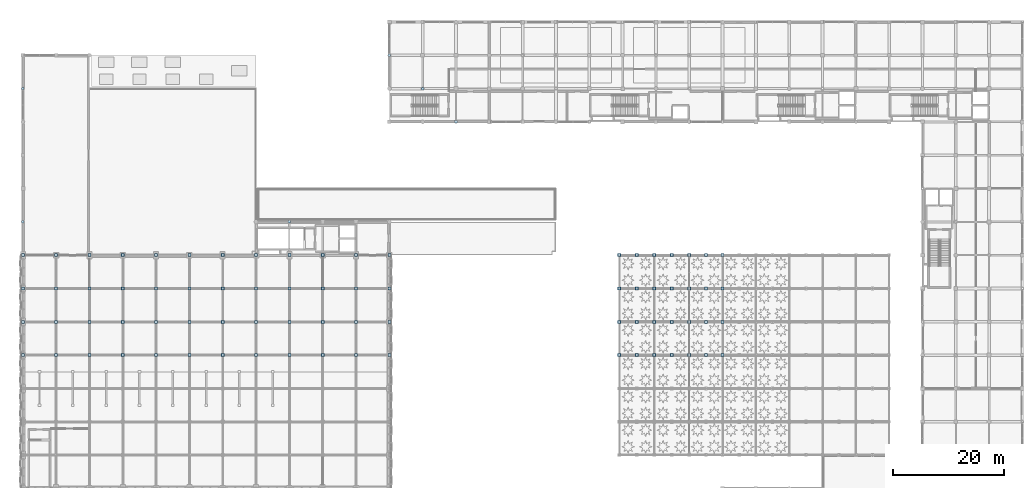
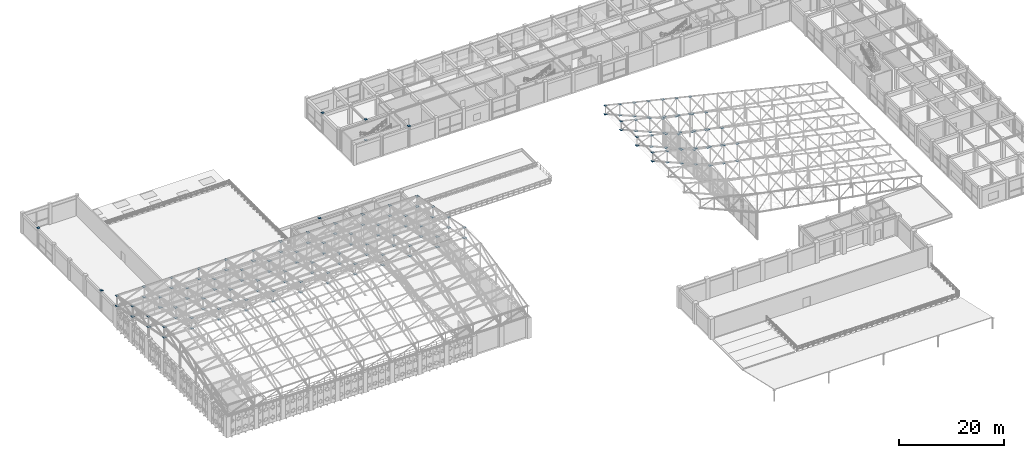
# One storey, part 88 of 112: 159 plates.
"""IFC4 building model written with IfcOpenShell, lengths in metres."""

from ifc_helpers import new_model, si_unit, direction, frame, origin, origin_2d, place, context, subcontext, project, spatial, rectangle, extrude, material, layer, layer_set, type_object, element, save


model = new_model("IFC4")

# Units and contexts
model_context = context("Model", 3, precision=1e-05, world=origin(), true_north=direction((0.0, 1.0)))
body_context = subcontext(model_context, "Body", "Model", "MODEL_VIEW")
ifc_project = project(units=[si_unit("LENGTHUNIT", "METRE"), si_unit("AREAUNIT", "SQUARE_METRE"), si_unit("VOLUMEUNIT", "CUBIC_METRE"), si_unit("PLANEANGLEUNIT", "RADIAN"), si_unit("MASSUNIT", "GRAM", prefix="KILO"), si_unit("THERMODYNAMICTEMPERATUREUNIT", "KELVIN"), si_unit("POWERUNIT", "WATT")], contexts=[model_context])

# Site, building, storey
site_placement = place(None, origin())
site = spatial("IfcSite", under=ifc_project, at=site_placement, CompositionType="ELEMENT")
building_placement = place(site_placement, origin())
building = spatial("IfcBuilding", under=site, at=building_placement, Name="Phaisarnlok Congress Hotel", CompositionType="ELEMENT")
storey_placement = place(building_placement, frame((0.0, 0.0, 19.800048828125)))
storey = spatial("IfcBuildingStorey", under=building, at=storey_placement, Name="L04", CompositionType="ELEMENT", Elevation=19.800048828125)

# Plates
ifc_material = material(Name="Steel S355", Category="steel")
ifc_layer_1 = layer(ifc_material, 0.0400390625, Name="Steel S355")
ifc_layer_set_1 = layer_set([ifc_layer_1], Name="Steel S355")
plate_type_1 = type_object("IfcPlateType", Name="PLT-CAP-480", PredefinedType="SHEET", material=ifc_layer_set_1)
for number, where, z_axis, x_axis, name in (
    (1, (0.0, 90.0, 4.780029296875), (0.0, 0.0, 1.0), (1.0, 0.0, 0.0), "Steel column cap/base plate NP-04 at NP-COLT-COL-L04-000-090"),
    (2, (0.0, 114.0, 4.780029296875), (0.0, 0.0, 1.0), (1.0, 0.0, 0.0), "Steel column cap/base plate NP-04 at NP-COLT-COL-L04-000-114"),
    (3, (48.0, 90.0, 4.780029296875), (0.0, 0.0, 1.0), (1.0, 0.0, 0.0), "Steel column cap/base plate NP-04 at NP-COLT-COL-L04-048-090"),
    (4, (66.0, 120.0, 4.780029296875), (0.0, 0.0, 1.0), (1.0, 0.0, 0.0), "Steel column cap/base plate NP-04 at NP-COLT-COL-L04-066-120"),
    (5, (72.0, 114.0, -0.02001953125), (0.0, 0.0, 1.0), (1.0, 0.0, 0.0), "Steel column cap/base plate NP-04 at NP-COLB-COL-L04-072-114"),
    (6, (72.0, 114.0, 4.780029296875), (0.0, 0.0, 1.0), (1.0, 0.0, 0.0), "Steel column cap/base plate NP-04 at NP-COLT-COL-L04-072-114"),
    (7, (78.0, 108.0, 4.780029296875), (0.0, 0.0, 1.0), (1.0, 0.0, 0.0), "Steel column cap/base plate NP-04 at NP-COLT-COL-L04-078-108"),
):
    element("IfcPlate", number, at=place(storey_placement, frame(where, z_axis=z_axis, x_axis=x_axis)), inside=storey, type_object=plate_type_1, Name=name, PredefinedType="SHEET", context=body_context, shape_type="SweptSolid", body=[
        extrude(rectangle(XDim=0.47998046875, YDim=0.47998046875, at=origin_2d()), origin(), (0.0, 0.0, 1.0), 0.0400390625),
    ])
ifc_layer_2 = layer(ifc_material, 0.02490234375, Name="Steel S355")
ifc_layer_set_2 = layer_set([ifc_layer_2], Name="Steel S355")
plate_type_2 = type_object("IfcPlateType", Name="PLT-NODE-520", PredefinedType="SHEET", material=ifc_layer_set_2)
for number, where, z_axis, x_axis, name in (
    (8, (0.0, 66.0, 10.849609375), (0.0, 0.0, 1.0), (1.0, 0.0, 0.0), "Steel truss node plate NP-02 at NP-SFT-00-04"),
    (9, (0.0, 72.0, 9.62890625), (0.0, 0.0, 1.0), (1.0, 0.0, 0.0), "Steel truss node plate NP-02 at NP-SFT-00-05"),
    (10, (0.0, 78.0, 8.408203125), (0.0, 0.0, 1.0), (1.0, 0.0, 0.0), "Steel truss node plate NP-02 at NP-SFT-00-06"),
    (11, (0.0, 84.0, 7.1875), (0.0, 0.0, 1.0), (1.0, 0.0, 0.0), "Steel truss node plate NP-02 at NP-SFT-00-07"),
    (12, (6.0, 66.0, 10.849609375), (0.0, 0.0, 1.0), (1.0, 0.0, 0.0), "Steel truss node plate NP-02 at NP-SFT-01-04"),
    (13, (6.0, 72.0, 9.62890625), (0.0, 0.0, 1.0), (1.0, 0.0, 0.0), "Steel truss node plate NP-02 at NP-SFT-01-05"),
    (14, (6.0, 78.0, 8.408203125), (0.0, 0.0, 1.0), (1.0, 0.0, 0.0), "Steel truss node plate NP-02 at NP-SFT-01-06"),
    (15, (6.0, 84.0, 7.1875), (0.0, 0.0, 1.0), (1.0, 0.0, 0.0), "Steel truss node plate NP-02 at NP-SFT-01-07"),
    (16, (12.0, 66.0, 10.849609375), (0.0, 0.0, 1.0), (1.0, 0.0, 0.0), "Steel truss node plate NP-02 at NP-SFT-02-04"),
    (17, (12.0, 72.0, 9.62890625), (0.0, 0.0, 1.0), (1.0, 0.0, 0.0), "Steel truss node plate NP-02 at NP-SFT-02-05"),
    (18, (12.0, 78.0, 8.408203125), (0.0, 0.0, 1.0), (1.0, 0.0, 0.0), "Steel truss node plate NP-02 at NP-SFT-02-06"),
    (19, (12.0, 84.0, 7.1875), (0.0, 0.0, 1.0), (1.0, 0.0, 0.0), "Steel truss node plate NP-02 at NP-SFT-02-07"),
    (20, (18.0, 66.0, 10.849609375), (0.0, 0.0, 1.0), (1.0, 0.0, 0.0), "Steel truss node plate NP-02 at NP-SFT-03-04"),
    (21, (18.0, 72.0, 9.62890625), (0.0, 0.0, 1.0), (1.0, 0.0, 0.0), "Steel truss node plate NP-02 at NP-SFT-03-05"),
    (22, (18.0, 78.0, 8.408203125), (0.0, 0.0, 1.0), (1.0, 0.0, 0.0), "Steel truss node plate NP-02 at NP-SFT-03-06"),
    (23, (18.0, 84.0, 7.1875), (0.0, 0.0, 1.0), (1.0, 0.0, 0.0), "Steel truss node plate NP-02 at NP-SFT-03-07"),
    (24, (24.0, 66.0, 10.849609375), (0.0, 0.0, 1.0), (1.0, 0.0, 0.0), "Steel truss node plate NP-02 at NP-SFT-04-04"),
    (25, (24.0, 72.0, 9.62890625), (0.0, 0.0, 1.0), (1.0, 0.0, 0.0), "Steel truss node plate NP-02 at NP-SFT-04-05"),
    (26, (24.0, 78.0, 8.408203125), (0.0, 0.0, 1.0), (1.0, 0.0, 0.0), "Steel truss node plate NP-02 at NP-SFT-04-06"),
    (27, (24.0, 84.0, 7.1875), (0.0, 0.0, 1.0), (1.0, 0.0, 0.0), "Steel truss node plate NP-02 at NP-SFT-04-07"),
    (28, (30.0, 66.0, 10.849609375), (0.0, 0.0, 1.0), (1.0, 0.0, 0.0), "Steel truss node plate NP-02 at NP-SFT-05-04"),
    (29, (30.0, 72.0, 9.62890625), (0.0, 0.0, 1.0), (1.0, 0.0, 0.0), "Steel truss node plate NP-02 at NP-SFT-05-05"),
    (30, (30.0, 78.0, 8.408203125), (0.0, 0.0, 1.0), (1.0, 0.0, 0.0), "Steel truss node plate NP-02 at NP-SFT-05-06"),
    (31, (30.0, 84.0, 7.1875), (0.0, 0.0, 1.0), (1.0, 0.0, 0.0), "Steel truss node plate NP-02 at NP-SFT-05-07"),
    (32, (36.0, 66.0, 10.849609375), (0.0, 0.0, 1.0), (1.0, 0.0, 0.0), "Steel truss node plate NP-02 at NP-SFT-06-04"),
    (33, (36.0, 72.0, 9.62890625), (0.0, 0.0, 1.0), (1.0, 0.0, 0.0), "Steel truss node plate NP-02 at NP-SFT-06-05"),
    (34, (36.0, 78.0, 8.408203125), (0.0, 0.0, 1.0), (1.0, 0.0, 0.0), "Steel truss node plate NP-02 at NP-SFT-06-06"),
    (35, (36.0, 84.0, 7.1875), (0.0, 0.0, 1.0), (1.0, 0.0, 0.0), "Steel truss node plate NP-02 at NP-SFT-06-07"),
    (36, (42.0, 66.0, 10.849609375), (0.0, 0.0, 1.0), (1.0, 0.0, 0.0), "Steel truss node plate NP-02 at NP-SFT-07-04"),
    (37, (42.0, 72.0, 9.62890625), (0.0, 0.0, 1.0), (1.0, 0.0, 0.0), "Steel truss node plate NP-02 at NP-SFT-07-05"),
    (38, (42.0, 78.0, 8.408203125), (0.0, 0.0, 1.0), (1.0, 0.0, 0.0), "Steel truss node plate NP-02 at NP-SFT-07-06"),
    (39, (42.0, 84.0, 7.1875), (0.0, 0.0, 1.0), (1.0, 0.0, 0.0), "Steel truss node plate NP-02 at NP-SFT-07-07"),
    (40, (48.0, 66.0, 10.849609375), (0.0, 0.0, 1.0), (1.0, 0.0, 0.0), "Steel truss node plate NP-02 at NP-SFT-08-04"),
    (41, (48.0, 72.0, 9.62890625), (0.0, 0.0, 1.0), (1.0, 0.0, 0.0), "Steel truss node plate NP-02 at NP-SFT-08-05"),
    (42, (48.0, 78.0, 8.408203125), (0.0, 0.0, 1.0), (1.0, 0.0, 0.0), "Steel truss node plate NP-02 at NP-SFT-08-06"),
    (43, (48.0, 84.0, 7.1875), (0.0, 0.0, 1.0), (1.0, 0.0, 0.0), "Steel truss node plate NP-02 at NP-SFT-08-07"),
    (44, (54.0, 66.0, 10.849609375), (0.0, 0.0, 1.0), (1.0, 0.0, 0.0), "Steel truss node plate NP-02 at NP-SFT-09-04"),
    (45, (54.0, 72.0, 9.62890625), (0.0, 0.0, 1.0), (1.0, 0.0, 0.0), "Steel truss node plate NP-02 at NP-SFT-09-05"),
    (46, (54.0, 78.0, 8.408203125), (0.0, 0.0, 1.0), (1.0, 0.0, 0.0), "Steel truss node plate NP-02 at NP-SFT-09-06"),
    (47, (54.0, 84.0, 7.1875), (0.0, 0.0, 1.0), (1.0, 0.0, 0.0), "Steel truss node plate NP-02 at NP-SFT-09-07"),
    (48, (60.0, 66.0, 10.849609375), (0.0, 0.0, 1.0), (1.0, 0.0, 0.0), "Steel truss node plate NP-02 at NP-SFT-10-04"),
    (49, (60.0, 72.0, 9.62890625), (0.0, 0.0, 1.0), (1.0, 0.0, 0.0), "Steel truss node plate NP-02 at NP-SFT-10-05"),
    (50, (60.0, 78.0, 8.408203125), (0.0, 0.0, 1.0), (1.0, 0.0, 0.0), "Steel truss node plate NP-02 at NP-SFT-10-06"),
    (51, (60.0, 84.0, 7.1875), (0.0, 0.0, 1.0), (1.0, 0.0, 0.0), "Steel truss node plate NP-02 at NP-SFT-10-07"),
    (52, (66.0, 66.0, 10.849609375), (0.0, 0.0, 1.0), (1.0, 0.0, 0.0), "Steel truss node plate NP-02 at NP-SFT-11-04"),
    (53, (66.0, 72.0, 9.62890625), (0.0, 0.0, 1.0), (1.0, 0.0, 0.0), "Steel truss node plate NP-02 at NP-SFT-11-05"),
    (54, (66.0, 78.0, 8.408203125), (0.0, 0.0, 1.0), (1.0, 0.0, 0.0), "Steel truss node plate NP-02 at NP-SFT-11-06"),
    (55, (66.0, 84.0, 7.1875), (0.0, 0.0, 1.0), (1.0, 0.0, 0.0), "Steel truss node plate NP-02 at NP-SFT-11-07"),
    (56, (126.0, 66.0, 9.347900390625), (0.0, 0.0, 1.0), (1.0, 0.0, 0.0), "Steel truss node plate NP-02 at NP-WRC-T-3-10"),
    (57, (123.0, 66.0, 10.06396484375), (0.0, 0.0, 1.0), (1.0, 0.0, 0.0), "Steel truss node plate NP-02 at NP-WRC-T-3-11"),
    (58, (120.0, 66.0, 10.780029296875), (0.0, 0.0, 1.0), (1.0, 0.0, 0.0), "Steel truss node plate NP-02 at NP-WRC-T-3-12"),
    (59, (116.85009765625, 66.0, 11.531982421875), (0.0, 0.0, 1.0), (1.0, 0.0, 0.0), "Steel truss node plate NP-02 at NP-WRC-T-3-13"),
    (60, (113.699951171875, 66.0, 12.28369140625), (0.0, 0.0, 1.0), (1.0, 0.0, 0.0), "Steel truss node plate NP-02 at NP-WRC-T-3-14"),
    (61, (110.550048828125, 66.0, 13.03564453125), (0.0, 0.0, 1.0), (1.0, 0.0, 0.0), "Steel truss node plate NP-02 at NP-WRC-T-3-15"),
    (62, (107.39990234375, 66.0, 13.78759765625), (0.0, 0.0, 1.0), (1.0, 0.0, 0.0), "Steel truss node plate NP-02 at NP-WRC-T-3-16"),
    (63, (126.0, 72.0, 9.347900390625), (0.0, 0.0, 1.0), (1.0, 0.0, 0.0), "Steel truss node plate NP-02 at NP-WRC-T-4-10"),
    (64, (123.0, 72.0, 10.06396484375), (0.0, 0.0, 1.0), (1.0, 0.0, 0.0), "Steel truss node plate NP-02 at NP-WRC-T-4-11"),
    (65, (120.0, 72.0, 10.780029296875), (0.0, 0.0, 1.0), (1.0, 0.0, 0.0), "Steel truss node plate NP-02 at NP-WRC-T-4-12"),
    (66, (116.85009765625, 72.0, 11.531982421875), (0.0, 0.0, 1.0), (1.0, 0.0, 0.0), "Steel truss node plate NP-02 at NP-WRC-T-4-13"),
    (67, (113.699951171875, 72.0, 12.28369140625), (0.0, 0.0, 1.0), (1.0, 0.0, 0.0), "Steel truss node plate NP-02 at NP-WRC-T-4-14"),
    (68, (110.550048828125, 72.0, 13.03564453125), (0.0, 0.0, 1.0), (1.0, 0.0, 0.0), "Steel truss node plate NP-02 at NP-WRC-T-4-15"),
    (69, (107.39990234375, 72.0, 13.78759765625), (0.0, 0.0, 1.0), (1.0, 0.0, 0.0), "Steel truss node plate NP-02 at NP-WRC-T-4-16"),
    (70, (126.0, 78.0, 9.347900390625), (0.0, 0.0, 1.0), (1.0, 0.0, 0.0), "Steel truss node plate NP-02 at NP-WRC-T-5-10"),
    (71, (123.0, 78.0, 10.06396484375), (0.0, 0.0, 1.0), (1.0, 0.0, 0.0), "Steel truss node plate NP-02 at NP-WRC-T-5-11"),
    (72, (120.0, 78.0, 10.780029296875), (0.0, 0.0, 1.0), (1.0, 0.0, 0.0), "Steel truss node plate NP-02 at NP-WRC-T-5-12"),
    (73, (116.85009765625, 78.0, 11.531982421875), (0.0, 0.0, 1.0), (1.0, 0.0, 0.0), "Steel truss node plate NP-02 at NP-WRC-T-5-13"),
    (74, (113.699951171875, 78.0, 12.28369140625), (0.0, 0.0, 1.0), (1.0, 0.0, 0.0), "Steel truss node plate NP-02 at NP-WRC-T-5-14"),
    (75, (110.550048828125, 78.0, 13.03564453125), (0.0, 0.0, 1.0), (1.0, 0.0, 0.0), "Steel truss node plate NP-02 at NP-WRC-T-5-15"),
    (76, (107.39990234375, 78.0, 13.78759765625), (0.0, 0.0, 1.0), (1.0, 0.0, 0.0), "Steel truss node plate NP-02 at NP-WRC-T-5-16"),
    (77, (126.0, 84.0, 9.347900390625), (0.0, 0.0, 1.0), (1.0, 0.0, 0.0), "Steel truss node plate NP-02 at NP-WRC-T-6-10"),
    (78, (123.0, 84.0, 10.06396484375), (0.0, 0.0, 1.0), (1.0, 0.0, 0.0), "Steel truss node plate NP-02 at NP-WRC-T-6-11"),
    (79, (120.0, 84.0, 10.780029296875), (0.0, 0.0, 1.0), (1.0, 0.0, 0.0), "Steel truss node plate NP-02 at NP-WRC-T-6-12"),
    (80, (116.85009765625, 84.0, 11.531982421875), (0.0, 0.0, 1.0), (1.0, 0.0, 0.0), "Steel truss node plate NP-02 at NP-WRC-T-6-13"),
    (81, (113.699951171875, 84.0, 12.28369140625), (0.0, 0.0, 1.0), (1.0, 0.0, 0.0), "Steel truss node plate NP-02 at NP-WRC-T-6-14"),
    (82, (110.550048828125, 84.0, 13.03564453125), (0.0, 0.0, 1.0), (1.0, 0.0, 0.0), "Steel truss node plate NP-02 at NP-WRC-T-6-15"),
    (83, (107.39990234375, 84.0, 13.78759765625), (0.0, 0.0, 1.0), (1.0, 0.0, 0.0), "Steel truss node plate NP-02 at NP-WRC-T-6-16"),
):
    element("IfcPlate", number, at=place(storey_placement, frame(where, z_axis=z_axis, x_axis=x_axis)), inside=storey, type_object=plate_type_2, Name=name, PredefinedType="SHEET", context=body_context, shape_type="SweptSolid", body=[
        extrude(rectangle(XDim=0.52001953125, YDim=0.52001953125, at=origin_2d()), origin(), (0.0, 0.0, 1.0), 0.02490234375),
    ])
ifc_layer_3 = layer(ifc_material, 0.030029296875, Name="Steel S355")
ifc_layer_set_3 = layer_set([ifc_layer_3], Name="Steel S355")
plate_type_3 = type_object("IfcPlateType", Name="PLT-NODE-560", PredefinedType="SHEET", material=ifc_layer_set_3)
for number, where, z_axis, x_axis, name in (
    (84, (0.0, 66.0, 8.447265625), (0.0, 0.0, 1.0), (1.0, 0.0, 0.0), "Steel truss node plate NP-01 at NP-SFB-00-04"),
    (85, (0.0, 72.0, 7.2265625), (0.0, 0.0, 1.0), (1.0, 0.0, 0.0), "Steel truss node plate NP-01 at NP-SFB-00-05"),
    (86, (0.0, 78.0, 6.005859375), (0.0, 0.0, 1.0), (1.0, 0.0, 0.0), "Steel truss node plate NP-01 at NP-SFB-00-06"),
    (87, (0.0, 84.0, 4.78515625), (0.0, 0.0, 1.0), (1.0, 0.0, 0.0), "Steel truss node plate NP-01 at NP-SFB-00-07"),
    (88, (6.0, 66.0, 8.447265625), (0.0, 0.0, 1.0), (1.0, 0.0, 0.0), "Steel truss node plate NP-01 at NP-SFB-01-04"),
    (89, (6.0, 72.0, 7.2265625), (0.0, 0.0, 1.0), (1.0, 0.0, 0.0), "Steel truss node plate NP-01 at NP-SFB-01-05"),
    (90, (6.0, 78.0, 6.005859375), (0.0, 0.0, 1.0), (1.0, 0.0, 0.0), "Steel truss node plate NP-01 at NP-SFB-01-06"),
    (91, (6.0, 84.0, 4.78515625), (0.0, 0.0, 1.0), (1.0, 0.0, 0.0), "Steel truss node plate NP-01 at NP-SFB-01-07"),
    (92, (12.0, 66.0, 8.447265625), (0.0, 0.0, 1.0), (1.0, 0.0, 0.0), "Steel truss node plate NP-01 at NP-SFB-02-04"),
    (93, (12.0, 72.0, 7.2265625), (0.0, 0.0, 1.0), (1.0, 0.0, 0.0), "Steel truss node plate NP-01 at NP-SFB-02-05"),
    (94, (12.0, 78.0, 6.005859375), (0.0, 0.0, 1.0), (1.0, 0.0, 0.0), "Steel truss node plate NP-01 at NP-SFB-02-06"),
    (95, (12.0, 84.0, 4.78515625), (0.0, 0.0, 1.0), (1.0, 0.0, 0.0), "Steel truss node plate NP-01 at NP-SFB-02-07"),
    (96, (18.0, 66.0, 8.447265625), (0.0, 0.0, 1.0), (1.0, 0.0, 0.0), "Steel truss node plate NP-01 at NP-SFB-03-04"),
    (97, (18.0, 72.0, 7.2265625), (0.0, 0.0, 1.0), (1.0, 0.0, 0.0), "Steel truss node plate NP-01 at NP-SFB-03-05"),
    (98, (18.0, 78.0, 6.005859375), (0.0, 0.0, 1.0), (1.0, 0.0, 0.0), "Steel truss node plate NP-01 at NP-SFB-03-06"),
    (99, (18.0, 84.0, 4.78515625), (0.0, 0.0, 1.0), (1.0, 0.0, 0.0), "Steel truss node plate NP-01 at NP-SFB-03-07"),
    (100, (24.0, 66.0, 8.447265625), (0.0, 0.0, 1.0), (1.0, 0.0, 0.0), "Steel truss node plate NP-01 at NP-SFB-04-04"),
    (101, (24.0, 72.0, 7.2265625), (0.0, 0.0, 1.0), (1.0, 0.0, 0.0), "Steel truss node plate NP-01 at NP-SFB-04-05"),
    (102, (24.0, 78.0, 6.005859375), (0.0, 0.0, 1.0), (1.0, 0.0, 0.0), "Steel truss node plate NP-01 at NP-SFB-04-06"),
    (103, (24.0, 84.0, 4.78515625), (0.0, 0.0, 1.0), (1.0, 0.0, 0.0), "Steel truss node plate NP-01 at NP-SFB-04-07"),
    (104, (30.0, 66.0, 8.447265625), (0.0, 0.0, 1.0), (1.0, 0.0, 0.0), "Steel truss node plate NP-01 at NP-SFB-05-04"),
    (105, (30.0, 72.0, 7.2265625), (0.0, 0.0, 1.0), (1.0, 0.0, 0.0), "Steel truss node plate NP-01 at NP-SFB-05-05"),
    (106, (30.0, 78.0, 6.005859375), (0.0, 0.0, 1.0), (1.0, 0.0, 0.0), "Steel truss node plate NP-01 at NP-SFB-05-06"),
    (107, (30.0, 84.0, 4.78515625), (0.0, 0.0, 1.0), (1.0, 0.0, 0.0), "Steel truss node plate NP-01 at NP-SFB-05-07"),
    (108, (36.0, 66.0, 8.447265625), (0.0, 0.0, 1.0), (1.0, 0.0, 0.0), "Steel truss node plate NP-01 at NP-SFB-06-04"),
    (109, (36.0, 72.0, 7.2265625), (0.0, 0.0, 1.0), (1.0, 0.0, 0.0), "Steel truss node plate NP-01 at NP-SFB-06-05"),
    (110, (36.0, 78.0, 6.005859375), (0.0, 0.0, 1.0), (1.0, 0.0, 0.0), "Steel truss node plate NP-01 at NP-SFB-06-06"),
    (111, (36.0, 84.0, 4.78515625), (0.0, 0.0, 1.0), (1.0, 0.0, 0.0), "Steel truss node plate NP-01 at NP-SFB-06-07"),
    (112, (42.0, 66.0, 8.447265625), (0.0, 0.0, 1.0), (1.0, 0.0, 0.0), "Steel truss node plate NP-01 at NP-SFB-07-04"),
    (113, (42.0, 72.0, 7.2265625), (0.0, 0.0, 1.0), (1.0, 0.0, 0.0), "Steel truss node plate NP-01 at NP-SFB-07-05"),
    (114, (42.0, 78.0, 6.005859375), (0.0, 0.0, 1.0), (1.0, 0.0, 0.0), "Steel truss node plate NP-01 at NP-SFB-07-06"),
    (115, (42.0, 84.0, 4.78515625), (0.0, 0.0, 1.0), (1.0, 0.0, 0.0), "Steel truss node plate NP-01 at NP-SFB-07-07"),
    (116, (48.0, 66.0, 8.447265625), (0.0, 0.0, 1.0), (1.0, 0.0, 0.0), "Steel truss node plate NP-01 at NP-SFB-08-04"),
    (117, (48.0, 72.0, 7.2265625), (0.0, 0.0, 1.0), (1.0, 0.0, 0.0), "Steel truss node plate NP-01 at NP-SFB-08-05"),
    (118, (48.0, 78.0, 6.005859375), (0.0, 0.0, 1.0), (1.0, 0.0, 0.0), "Steel truss node plate NP-01 at NP-SFB-08-06"),
    (119, (48.0, 84.0, 4.78515625), (0.0, 0.0, 1.0), (1.0, 0.0, 0.0), "Steel truss node plate NP-01 at NP-SFB-08-07"),
    (120, (54.0, 66.0, 8.447265625), (0.0, 0.0, 1.0), (1.0, 0.0, 0.0), "Steel truss node plate NP-01 at NP-SFB-09-04"),
    (121, (54.0, 72.0, 7.2265625), (0.0, 0.0, 1.0), (1.0, 0.0, 0.0), "Steel truss node plate NP-01 at NP-SFB-09-05"),
    (122, (54.0, 78.0, 6.005859375), (0.0, 0.0, 1.0), (1.0, 0.0, 0.0), "Steel truss node plate NP-01 at NP-SFB-09-06"),
    (123, (54.0, 84.0, 4.78515625), (0.0, 0.0, 1.0), (1.0, 0.0, 0.0), "Steel truss node plate NP-01 at NP-SFB-09-07"),
    (124, (60.0, 66.0, 8.447265625), (0.0, 0.0, 1.0), (1.0, 0.0, 0.0), "Steel truss node plate NP-01 at NP-SFB-10-04"),
    (125, (60.0, 72.0, 7.2265625), (0.0, 0.0, 1.0), (1.0, 0.0, 0.0), "Steel truss node plate NP-01 at NP-SFB-10-05"),
    (126, (60.0, 78.0, 6.005859375), (0.0, 0.0, 1.0), (1.0, 0.0, 0.0), "Steel truss node plate NP-01 at NP-SFB-10-06"),
    (127, (60.0, 84.0, 4.78515625), (0.0, 0.0, 1.0), (1.0, 0.0, 0.0), "Steel truss node plate NP-01 at NP-SFB-10-07"),
    (128, (66.0, 66.0, 8.447265625), (0.0, 0.0, 1.0), (1.0, 0.0, 0.0), "Steel truss node plate NP-01 at NP-SFB-11-04"),
    (129, (66.0, 72.0, 7.2265625), (0.0, 0.0, 1.0), (1.0, 0.0, 0.0), "Steel truss node plate NP-01 at NP-SFB-11-05"),
    (130, (66.0, 78.0, 6.005859375), (0.0, 0.0, 1.0), (1.0, 0.0, 0.0), "Steel truss node plate NP-01 at NP-SFB-11-06"),
    (131, (66.0, 84.0, 4.78515625), (0.0, 0.0, 1.0), (1.0, 0.0, 0.0), "Steel truss node plate NP-01 at NP-SFB-11-07"),
    (132, (120.0, 66.0, 6.384765625), (0.0, 0.0, 1.0), (1.0, 0.0, 0.0), "Steel truss node plate NP-01 at NP-WRC-COLU-066"),
    (133, (120.0, 72.0, 6.384765625), (0.0, 0.0, 1.0), (1.0, 0.0, 0.0), "Steel truss node plate NP-01 at NP-WRC-COLU-072"),
    (134, (120.0, 78.0, 6.384765625), (0.0, 0.0, 1.0), (1.0, 0.0, 0.0), "Steel truss node plate NP-01 at NP-WRC-COLU-078"),
    (135, (120.0, 84.0, 6.384765625), (0.0, 0.0, 1.0), (1.0, 0.0, 0.0), "Steel truss node plate NP-01 at NP-WRC-COLU-084"),
    (136, (126.0, 66.0, 5.318359375), (0.0, 0.0, 1.0), (1.0, 0.0, 0.0), "Steel truss node plate NP-01 at NP-WRC-B-3-10"),
    (137, (123.0, 66.0, 5.8515625), (0.0, 0.0, 1.0), (1.0, 0.0, 0.0), "Steel truss node plate NP-01 at NP-WRC-B-3-11"),
    (138, (116.85009765625, 66.0, 7.73486328125), (0.0, 0.0, 1.0), (1.0, 0.0, 0.0), "Steel truss node plate NP-01 at NP-WRC-B-3-13"),
    (139, (113.699951171875, 66.0, 9.0849609375), (0.0, 0.0, 1.0), (1.0, 0.0, 0.0), "Steel truss node plate NP-01 at NP-WRC-B-3-14"),
    (140, (110.550048828125, 66.0, 10.43505859375), (0.0, 0.0, 1.0), (1.0, 0.0, 0.0), "Steel truss node plate NP-01 at NP-WRC-B-3-15"),
    (141, (107.39990234375, 66.0, 11.78515625), (0.0, 0.0, 1.0), (1.0, 0.0, 0.0), "Steel truss node plate NP-01 at NP-WRC-B-3-16"),
    (142, (126.0, 72.0, 5.318359375), (0.0, 0.0, 1.0), (1.0, 0.0, 0.0), "Steel truss node plate NP-01 at NP-WRC-B-4-10"),
    (143, (123.0, 72.0, 5.8515625), (0.0, 0.0, 1.0), (1.0, 0.0, 0.0), "Steel truss node plate NP-01 at NP-WRC-B-4-11"),
    (144, (116.85009765625, 72.0, 7.73486328125), (0.0, 0.0, 1.0), (1.0, 0.0, 0.0), "Steel truss node plate NP-01 at NP-WRC-B-4-13"),
    (145, (113.699951171875, 72.0, 9.0849609375), (0.0, 0.0, 1.0), (1.0, 0.0, 0.0), "Steel truss node plate NP-01 at NP-WRC-B-4-14"),
    (146, (110.550048828125, 72.0, 10.43505859375), (0.0, 0.0, 1.0), (1.0, 0.0, 0.0), "Steel truss node plate NP-01 at NP-WRC-B-4-15"),
    (147, (107.39990234375, 72.0, 11.78515625), (0.0, 0.0, 1.0), (1.0, 0.0, 0.0), "Steel truss node plate NP-01 at NP-WRC-B-4-16"),
    (148, (126.0, 78.0, 5.318359375), (0.0, 0.0, 1.0), (1.0, 0.0, 0.0), "Steel truss node plate NP-01 at NP-WRC-B-5-10"),
    (149, (123.0, 78.0, 5.8515625), (0.0, 0.0, 1.0), (1.0, 0.0, 0.0), "Steel truss node plate NP-01 at NP-WRC-B-5-11"),
    (150, (116.85009765625, 78.0, 7.73486328125), (0.0, 0.0, 1.0), (1.0, 0.0, 0.0), "Steel truss node plate NP-01 at NP-WRC-B-5-13"),
    (151, (113.699951171875, 78.0, 9.0849609375), (0.0, 0.0, 1.0), (1.0, 0.0, 0.0), "Steel truss node plate NP-01 at NP-WRC-B-5-14"),
    (152, (110.550048828125, 78.0, 10.43505859375), (0.0, 0.0, 1.0), (1.0, 0.0, 0.0), "Steel truss node plate NP-01 at NP-WRC-B-5-15"),
    (153, (107.39990234375, 78.0, 11.78515625), (0.0, 0.0, 1.0), (1.0, 0.0, 0.0), "Steel truss node plate NP-01 at NP-WRC-B-5-16"),
    (154, (126.0, 84.0, 5.318359375), (0.0, 0.0, 1.0), (1.0, 0.0, 0.0), "Steel truss node plate NP-01 at NP-WRC-B-6-10"),
    (155, (123.0, 84.0, 5.8515625), (0.0, 0.0, 1.0), (1.0, 0.0, 0.0), "Steel truss node plate NP-01 at NP-WRC-B-6-11"),
    (156, (116.85009765625, 84.0, 7.73486328125), (0.0, 0.0, 1.0), (1.0, 0.0, 0.0), "Steel truss node plate NP-01 at NP-WRC-B-6-13"),
    (157, (113.699951171875, 84.0, 9.0849609375), (0.0, 0.0, 1.0), (1.0, 0.0, 0.0), "Steel truss node plate NP-01 at NP-WRC-B-6-14"),
    (158, (110.550048828125, 84.0, 10.43505859375), (0.0, 0.0, 1.0), (1.0, 0.0, 0.0), "Steel truss node plate NP-01 at NP-WRC-B-6-15"),
    (159, (107.39990234375, 84.0, 11.78515625), (0.0, 0.0, 1.0), (1.0, 0.0, 0.0), "Steel truss node plate NP-01 at NP-WRC-B-6-16"),
):
    element("IfcPlate", number, at=place(storey_placement, frame(where, z_axis=z_axis, x_axis=x_axis)), inside=storey, type_object=plate_type_3, Name=name, PredefinedType="SHEET", context=body_context, shape_type="SweptSolid", body=[
        extrude(rectangle(XDim=0.56005859375, YDim=0.56005859375, at=origin_2d()), origin(), (0.0, 0.0, 1.0), 0.030029296875),
    ])

save(model, "model.ifc")
